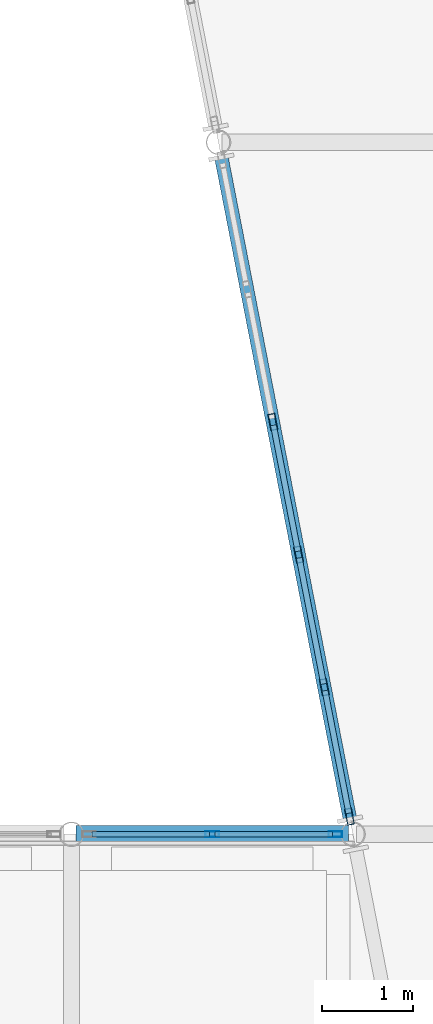
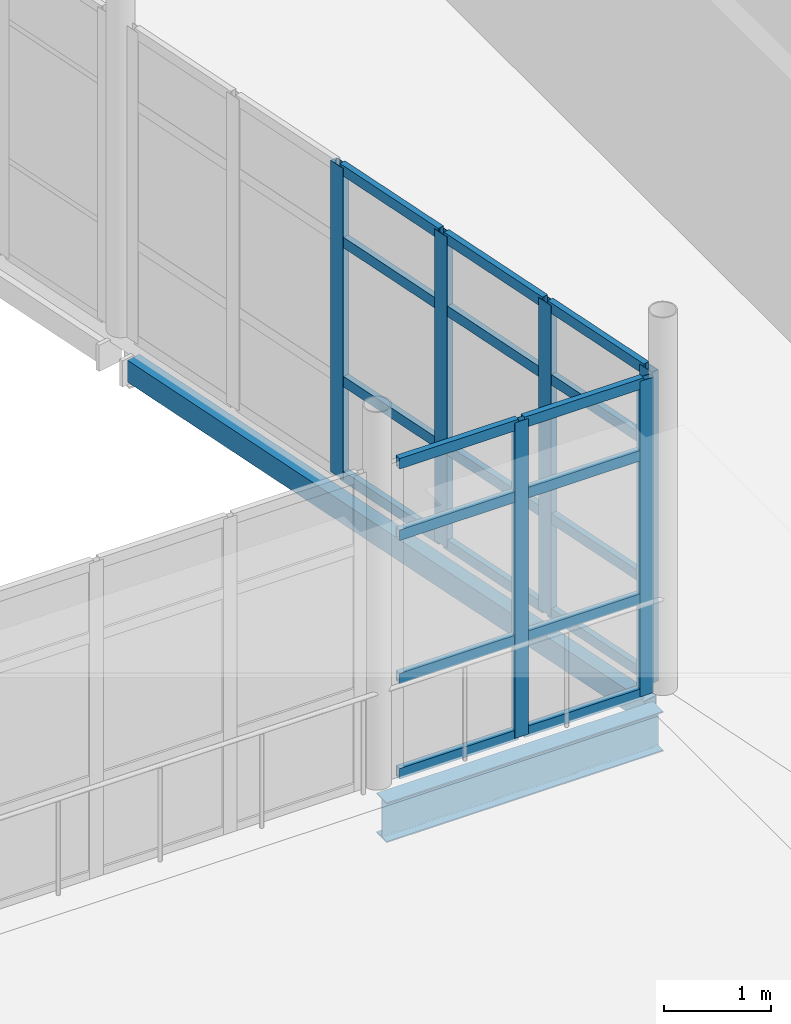
# One storey, part 96 of 174: 26 members, 2 beams, 2 elements without a shape of their own.
"""IFC4 building model written with IfcOpenShell, lengths in metres."""

from ifc_helpers import new_model, si_unit, direction, frame, origin, origin_2d, place, context, subcontext, project, spatial, hollow_rectangle, i_section, extrude, material, material_profile, profile_set, type_object, element, aggregate, save


model = new_model("IFC4")

# Units and contexts
model_context = context("Model", 3, precision=1e-05, world=origin(), true_north=direction((0.0, 1.0)))
body_context = subcontext(model_context, "Body", "Model", "MODEL_VIEW")
ifc_project = project(units=[si_unit("LENGTHUNIT", "METRE"), si_unit("AREAUNIT", "SQUARE_METRE"), si_unit("VOLUMEUNIT", "CUBIC_METRE"), si_unit("PLANEANGLEUNIT", "RADIAN"), si_unit("MASSUNIT", "GRAM", prefix="KILO")], contexts=[model_context])

# Site, building, storey
site_placement = place(None, origin())
site = spatial("IfcSite", under=ifc_project, at=site_placement, CompositionType="ELEMENT")
building_placement = place(site_placement, origin())
building = spatial("IfcBuilding", under=site, at=building_placement, Name="Caisbarro Railhouse Central Library", CompositionType="ELEMENT")
storey_placement = place(building_placement, frame((0.0, 0.0, 5.0400390625)))
storey = spatial("IfcBuildingStorey", under=building, at=storey_placement, Name="L01", CompositionType="ELEMENT", Elevation=5.0400390625)

# Beams
ifc_material_1 = material(Name="Steel ASTM A572 Grade 50", Category="steel")
ifc_material_profile_1 = material_profile(ifc_material_1, i_section(OverallWidth=0.18994140625, OverallDepth=0.45703125, WebThickness=0.009033203125, FlangeThickness=0.014404296875, FilletRadius=0.01806640625, at=origin_2d()), Name="W460X74.0")
ifc_profile_set_1 = profile_set([ifc_material_profile_1], Name="Steel ASTM A572 Grade 50")
beam_type_1 = type_object("IfcBeamType", Name="BM-G08", PredefinedType="BEAM", material=ifc_profile_set_1)
beam_1_placement = place(storey_placement, frame((108.050048828125, 91.199951171875, -0.428466796875), z_axis=(1.0, 0.0, 0.0), x_axis=(0.0, 1.0, 0.0)))
element("IfcBeam", 1, at=beam_1_placement, inside=storey, type_object=beam_type_1, Name="G08 beam L01 #1277", PredefinedType="BEAM", context=body_context, shape_type="SweptSolid", body=[
    extrude(i_section(OverallWidth=0.18994140625, OverallDepth=0.45703125, WebThickness=0.009033203125, FlangeThickness=0.014404296875, FilletRadius=0.01806640625, at=origin_2d()), origin(), (0.0, 0.0, 1.0), 2.990966796875),
])
ifc_material_profile_2 = material_profile(ifc_material_1, hollow_rectangle(XDim=0.14990234375, YDim=0.25, WallThickness=0.010009765625, at=origin_2d()), Name="HSS250X150X10")
ifc_profile_set_2 = profile_set([ifc_material_profile_2], Name="Steel ASTM A572 Grade 50")
beam_type_2 = type_object("IfcBeamType", Name="BM-SP03", PredefinedType="SPANDREL", material=ifc_profile_set_2)
beam_2_placement = place(storey_placement, frame((111.056640625, 91.376708984375, -0.344970703125), z_axis=(-0.1907899916, 0.981630877217, 0.0), x_axis=(-0.981630877217, -0.1907899916, 0.0)))
element("IfcBeam", 2, at=beam_2_placement, inside=storey, type_object=beam_type_2, Name="SP03 beam L01 #1269", PredefinedType="SPANDREL", context=body_context, shape_type="SweptSolid", body=[
    extrude(hollow_rectangle(XDim=0.14990234375, YDim=0.25, WallThickness=0.010009765625, at=origin_2d()), origin(), (0.0, 0.0, 1.0), 7.382080078125),
])

# Curtain wall, members
ifc_material_2 = material(Name="Anodised architectural aluminium", Category="aluminium")
curtain_wall_type_1 = type_object("IfcCurtainWallType", Name="CW-CW02", PredefinedType="NOTDEFINED", material=ifc_material_2)
curtain_wall_1_placement = place(storey_placement, origin())
curtain_wall_1 = element("IfcCurtainWall", 3, at=curtain_wall_1_placement, inside=storey, type_object=curtain_wall_type_1, Name="CW02 curtain wall L01 #113", PredefinedType="NOTDEFINED")
ifc_material_profile_3 = material_profile(ifc_material_2, hollow_rectangle(XDim=0.074951171875, YDim=0.179931640625, WallThickness=0.00439453125, at=origin_2d()), Name="ALU-MUL-75X180")
ifc_profile_set_3 = profile_set([ifc_material_profile_3], Name="Anodised architectural aluminium")
member_type_1 = type_object("IfcMemberType", Name="CWM-M01", PredefinedType="MULLION", material=ifc_profile_set_3)
member_1_placement = place(storey_placement, frame((111.053466796875, 91.393798828125, 0.0), z_axis=(0.0, 0.0, 1.0), x_axis=(-0.981632635401, -0.190780945369, 0.0)))
member_1 = element("IfcMember", 4, at=member_1_placement, type_object=member_type_1, Name="CW02 mullion 1", PredefinedType="MULLION", context=body_context, shape_type="SweptSolid", body=[
    extrude(hollow_rectangle(XDim=0.074951171875, YDim=0.179931640625, WallThickness=0.00439453125, at=origin_2d()), origin(), (0.0, 0.0, 1.0), 3.56005859375),
])
member_2_placement = place(storey_placement, frame((110.77734375, 92.814208984375, 0.0), z_axis=(0.0, 0.0, 1.0), x_axis=(-0.981632635401, -0.190780945369, 0.0)))
member_2 = element("IfcMember", 5, at=member_2_placement, type_object=member_type_1, Name="CW02 mullion 2", PredefinedType="MULLION", context=body_context, shape_type="SweptSolid", body=[
    extrude(hollow_rectangle(XDim=0.074951171875, YDim=0.179931640625, WallThickness=0.00439453125, at=origin_2d()), origin(), (0.0, 0.0, 1.0), 3.56005859375),
])
member_3_placement = place(storey_placement, frame((110.494140625, 94.271484375, 0.0), z_axis=(0.0, 0.0, 1.0), x_axis=(-0.981632635401, -0.190780945369, 0.0)))
member_3 = element("IfcMember", 6, at=member_3_placement, type_object=member_type_1, Name="CW02 mullion 3", PredefinedType="MULLION", context=body_context, shape_type="SweptSolid", body=[
    extrude(hollow_rectangle(XDim=0.074951171875, YDim=0.179931640625, WallThickness=0.00439453125, at=origin_2d()), origin(), (0.0, 0.0, 1.0), 3.56005859375),
])
member_4_placement = place(storey_placement, frame((110.2109375, 95.728515625, 0.0), z_axis=(0.0, 0.0, 1.0), x_axis=(-0.981632635401, -0.190780945369, 0.0)))
member_4 = element("IfcMember", 7, at=member_4_placement, type_object=member_type_1, Name="CW02 mullion 4", PredefinedType="MULLION", context=body_context, shape_type="SweptSolid", body=[
    extrude(hollow_rectangle(XDim=0.074951171875, YDim=0.179931640625, WallThickness=0.00439453125, at=origin_2d()), origin(), (0.0, 0.0, 1.0), 3.56005859375),
])

curtain_wall_type_2 = type_object("IfcCurtainWallType", Name="CW-CW03", PredefinedType="NOTDEFINED", material=ifc_material_2)
curtain_wall_2_placement = place(storey_placement, origin())
curtain_wall_2 = element("IfcCurtainWall", 8, at=curtain_wall_2_placement, inside=storey, type_object=curtain_wall_type_2, Name="CW03 curtain wall L01 #201", PredefinedType="NOTDEFINED")
ifc_material_profile_4 = material_profile(ifc_material_2, hollow_rectangle(XDim=0.06494140625, YDim=0.14990234375, WallThickness=0.00390625, at=origin_2d()), Name="ALU-MUL-65X150")
ifc_profile_set_4 = profile_set([ifc_material_profile_4], Name="Anodised architectural aluminium")
member_type_2 = type_object("IfcMemberType", Name="CWM-M02", PredefinedType="MULLION", material=ifc_profile_set_4)
member_5_placement = place(storey_placement, frame((109.54541015625, 91.199951171875, 0.0), z_axis=(0.0, 0.0, 1.0), x_axis=(0.0, 1.0, 0.0)))
member_5 = element("IfcMember", 9, at=member_5_placement, type_object=member_type_2, Name="CW03 mullion 2", PredefinedType="MULLION", context=body_context, shape_type="SweptSolid", body=[
    extrude(hollow_rectangle(XDim=0.06494140625, YDim=0.14990234375, WallThickness=0.00390625, at=origin_2d()), origin(), (0.0, 0.0, 1.0), 3.60986328125),
])
member_6_placement = place(storey_placement, frame((110.8984375, 91.199951171875, 0.0), z_axis=(0.0, 0.0, 1.0), x_axis=(0.0, 1.0, 0.0)))
member_6 = element("IfcMember", 10, at=member_6_placement, type_object=member_type_2, Name="CW03 mullion 3", PredefinedType="MULLION", context=body_context, shape_type="SweptSolid", body=[
    extrude(hollow_rectangle(XDim=0.06494140625, YDim=0.14990234375, WallThickness=0.00390625, at=origin_2d()), origin(), (0.0, 0.0, 1.0), 3.60986328125),
])

# Member
ifc_material_profile_5 = material_profile(ifc_material_2, hollow_rectangle(XDim=0.06494140625, YDim=0.1201171875, WallThickness=0.00341796875, at=origin_2d()), Name="ALU-TRN-65X120")
ifc_profile_set_5 = profile_set([ifc_material_profile_5], Name="Anodised architectural aluminium")
member_type_3 = type_object("IfcMemberType", Name="CWT-T02", PredefinedType="USERDEFINED", material=ifc_profile_set_5)
member_7_placement = place(storey_placement, frame((111.046142578125, 91.4306640625, 0.032470703125), z_axis=(-0.190774392735, 0.981633908887, 0.0), x_axis=(-0.981633908887, -0.190774392735, 0.0)))
member_7 = element("IfcMember", 11, at=member_7_placement, type_object=member_type_3, Name="CW02 transom 1.1", ObjectType="TRANSOM", PredefinedType="USERDEFINED", context=body_context, shape_type="SweptSolid", body=[
    extrude(hollow_rectangle(XDim=0.06494140625, YDim=0.1201171875, WallThickness=0.00341796875, at=origin_2d()), origin(), (0.0, 0.0, 1.0), 1.371826171875),
])

member_8_placement = place(storey_placement, frame((111.046142578125, 91.4306640625, 1.119873046875), z_axis=(-0.190774392735, 0.981633908887, 0.0), x_axis=(-0.981633908887, -0.190774392735, 0.0)))
member_8 = element("IfcMember", 12, at=member_8_placement, type_object=member_type_3, Name="CW02 transom 1.2", ObjectType="TRANSOM", PredefinedType="USERDEFINED", context=body_context, shape_type="SweptSolid", body=[
    extrude(hollow_rectangle(XDim=0.06494140625, YDim=0.1201171875, WallThickness=0.00341796875, at=origin_2d()), origin(), (0.0, 0.0, 1.0), 1.371826171875),
])

member_9_placement = place(storey_placement, frame((111.046142578125, 91.4306640625, 2.7099609375), z_axis=(-0.190774392735, 0.981633908887, 0.0), x_axis=(-0.981633908887, -0.190774392735, 0.0)))
member_9 = element("IfcMember", 13, at=member_9_placement, type_object=member_type_3, Name="CW02 transom 1.3", ObjectType="TRANSOM", PredefinedType="USERDEFINED", context=body_context, shape_type="SweptSolid", body=[
    extrude(hollow_rectangle(XDim=0.06494140625, YDim=0.1201171875, WallThickness=0.00341796875, at=origin_2d()), origin(), (0.0, 0.0, 1.0), 1.371826171875),
])

member_10_placement = place(storey_placement, frame((111.046142578125, 91.4306640625, 3.52734375), z_axis=(-0.190774392735, 0.981633908887, 0.0), x_axis=(-0.981633908887, -0.190774392735, 0.0)))
member_10 = element("IfcMember", 14, at=member_10_placement, type_object=member_type_3, Name="CW02 transom 1.4", ObjectType="TRANSOM", PredefinedType="USERDEFINED", context=body_context, shape_type="SweptSolid", body=[
    extrude(hollow_rectangle(XDim=0.06494140625, YDim=0.1201171875, WallThickness=0.00341796875, at=origin_2d()), origin(), (0.0, 0.0, 1.0), 1.371826171875),
])

member_11_placement = place(storey_placement, frame((110.770263671875, 92.85107421875, 0.032470703125), z_axis=(-0.190883567843, 0.981612685089, 0.0), x_axis=(-0.981612685089, -0.190883567843, 0.0)))
member_11 = element("IfcMember", 15, at=member_11_placement, type_object=member_type_3, Name="CW02 transom 2.1", ObjectType="TRANSOM", PredefinedType="USERDEFINED", context=body_context, shape_type="SweptSolid", body=[
    extrude(hollow_rectangle(XDim=0.06494140625, YDim=0.1201171875, WallThickness=0.00341796875, at=origin_2d()), origin(), (0.0, 0.0, 1.0), 1.409423828125),
])

member_12_placement = place(storey_placement, frame((110.770263671875, 92.85107421875, 1.119873046875), z_axis=(-0.190883567843, 0.981612685089, 0.0), x_axis=(-0.981612685089, -0.190883567843, 0.0)))
member_12 = element("IfcMember", 16, at=member_12_placement, type_object=member_type_3, Name="CW02 transom 2.2", ObjectType="TRANSOM", PredefinedType="USERDEFINED", context=body_context, shape_type="SweptSolid", body=[
    extrude(hollow_rectangle(XDim=0.06494140625, YDim=0.1201171875, WallThickness=0.00341796875, at=origin_2d()), origin(), (0.0, 0.0, 1.0), 1.409423828125),
])

member_13_placement = place(storey_placement, frame((110.770263671875, 92.85107421875, 2.7099609375), z_axis=(-0.190883567843, 0.981612685089, 0.0), x_axis=(-0.981612685089, -0.190883567843, 0.0)))
member_13 = element("IfcMember", 17, at=member_13_placement, type_object=member_type_3, Name="CW02 transom 2.3", ObjectType="TRANSOM", PredefinedType="USERDEFINED", context=body_context, shape_type="SweptSolid", body=[
    extrude(hollow_rectangle(XDim=0.06494140625, YDim=0.1201171875, WallThickness=0.00341796875, at=origin_2d()), origin(), (0.0, 0.0, 1.0), 1.409423828125),
])

member_14_placement = place(storey_placement, frame((110.770263671875, 92.85107421875, 3.52734375), z_axis=(-0.190883567843, 0.981612685089, 0.0), x_axis=(-0.981612685089, -0.190883567843, 0.0)))
member_14 = element("IfcMember", 18, at=member_14_placement, type_object=member_type_3, Name="CW02 transom 2.4", ObjectType="TRANSOM", PredefinedType="USERDEFINED", context=body_context, shape_type="SweptSolid", body=[
    extrude(hollow_rectangle(XDim=0.06494140625, YDim=0.1201171875, WallThickness=0.00341796875, at=origin_2d()), origin(), (0.0, 0.0, 1.0), 1.409423828125),
])

member_15_placement = place(storey_placement, frame((110.487060546875, 94.308349609375, 0.032470703125), z_axis=(-0.190916029308, 0.981606372103, 0.0), x_axis=(-0.981606372103, -0.190916029308, 0.0)))
member_15 = element("IfcMember", 19, at=member_15_placement, type_object=member_type_3, Name="CW02 transom 3.1", ObjectType="TRANSOM", PredefinedType="USERDEFINED", context=body_context, shape_type="SweptSolid", body=[
    extrude(hollow_rectangle(XDim=0.06494140625, YDim=0.1201171875, WallThickness=0.00341796875, at=origin_2d()), origin(), (0.0, 0.0, 1.0), 1.4091796875),
])

member_16_placement = place(storey_placement, frame((110.487060546875, 94.308349609375, 1.119873046875), z_axis=(-0.190916029308, 0.981606372103, 0.0), x_axis=(-0.981606372103, -0.190916029308, 0.0)))
member_16 = element("IfcMember", 20, at=member_16_placement, type_object=member_type_3, Name="CW02 transom 3.2", ObjectType="TRANSOM", PredefinedType="USERDEFINED", context=body_context, shape_type="SweptSolid", body=[
    extrude(hollow_rectangle(XDim=0.06494140625, YDim=0.1201171875, WallThickness=0.00341796875, at=origin_2d()), origin(), (0.0, 0.0, 1.0), 1.4091796875),
])

member_17_placement = place(storey_placement, frame((110.487060546875, 94.308349609375, 2.7099609375), z_axis=(-0.190916029308, 0.981606372103, 0.0), x_axis=(-0.981606372103, -0.190916029308, 0.0)))
member_17 = element("IfcMember", 21, at=member_17_placement, type_object=member_type_3, Name="CW02 transom 3.3", ObjectType="TRANSOM", PredefinedType="USERDEFINED", context=body_context, shape_type="SweptSolid", body=[
    extrude(hollow_rectangle(XDim=0.06494140625, YDim=0.1201171875, WallThickness=0.00341796875, at=origin_2d()), origin(), (0.0, 0.0, 1.0), 1.4091796875),
])

member_18_placement = place(storey_placement, frame((110.487060546875, 94.308349609375, 3.52734375), z_axis=(-0.190916029308, 0.981606372103, 0.0), x_axis=(-0.981606372103, -0.190916029308, 0.0)))
member_18 = element("IfcMember", 22, at=member_18_placement, type_object=member_type_3, Name="CW02 transom 3.4", ObjectType="TRANSOM", PredefinedType="USERDEFINED", context=body_context, shape_type="SweptSolid", body=[
    extrude(hollow_rectangle(XDim=0.06494140625, YDim=0.1201171875, WallThickness=0.00341796875, at=origin_2d()), origin(), (0.0, 0.0, 1.0), 1.4091796875),
])

aggregate(curtain_wall_1, [member_1, member_2, member_3, member_4, member_7, member_8, member_9, member_10, member_11, member_12, member_13, member_14, member_15, member_16, member_17, member_18])

member_19_placement = place(storey_placement, frame((108.22509765625, 91.199951171875, 0.032470703125), z_axis=(1.0, 0.0, 0.0), x_axis=(0.0, 1.0, 0.0)))
member_19 = element("IfcMember", 23, at=member_19_placement, type_object=member_type_3, Name="CW03 transom 1.1", ObjectType="TRANSOM", PredefinedType="USERDEFINED", context=body_context, shape_type="SweptSolid", body=[
    extrude(hollow_rectangle(XDim=0.06494140625, YDim=0.1201171875, WallThickness=0.00341796875, at=origin_2d()), origin(), (0.0, 0.0, 1.0), 1.287841796875),
])

member_20_placement = place(storey_placement, frame((108.22509765625, 91.199951171875, 1.119873046875), z_axis=(1.0, 0.0, 0.0), x_axis=(0.0, 1.0, 0.0)))
member_20 = element("IfcMember", 24, at=member_20_placement, type_object=member_type_3, Name="CW03 transom 1.2", ObjectType="TRANSOM", PredefinedType="USERDEFINED", context=body_context, shape_type="SweptSolid", body=[
    extrude(hollow_rectangle(XDim=0.06494140625, YDim=0.1201171875, WallThickness=0.00341796875, at=origin_2d()), origin(), (0.0, 0.0, 1.0), 1.287841796875),
])

member_21_placement = place(storey_placement, frame((108.22509765625, 91.199951171875, 2.760009765625), z_axis=(1.0, 0.0, 0.0), x_axis=(0.0, 1.0, 0.0)))
member_21 = element("IfcMember", 25, at=member_21_placement, type_object=member_type_3, Name="CW03 transom 1.3", ObjectType="TRANSOM", PredefinedType="USERDEFINED", context=body_context, shape_type="SweptSolid", body=[
    extrude(hollow_rectangle(XDim=0.06494140625, YDim=0.1201171875, WallThickness=0.00341796875, at=origin_2d()), origin(), (0.0, 0.0, 1.0), 1.287841796875),
])

member_22_placement = place(storey_placement, frame((108.22509765625, 91.199951171875, 3.577392578125), z_axis=(1.0, 0.0, 0.0), x_axis=(0.0, 1.0, 0.0)))
member_22 = element("IfcMember", 26, at=member_22_placement, type_object=member_type_3, Name="CW03 transom 1.4", ObjectType="TRANSOM", PredefinedType="USERDEFINED", context=body_context, shape_type="SweptSolid", body=[
    extrude(hollow_rectangle(XDim=0.06494140625, YDim=0.1201171875, WallThickness=0.00341796875, at=origin_2d()), origin(), (0.0, 0.0, 1.0), 1.287841796875),
])

member_23_placement = place(storey_placement, frame((109.577880859375, 91.199951171875, 0.032470703125), z_axis=(1.0, 0.0, 0.0), x_axis=(0.0, 1.0, 0.0)))
member_23 = element("IfcMember", 27, at=member_23_placement, type_object=member_type_3, Name="CW03 transom 2.1", ObjectType="TRANSOM", PredefinedType="USERDEFINED", context=body_context, shape_type="SweptSolid", body=[
    extrude(hollow_rectangle(XDim=0.06494140625, YDim=0.1201171875, WallThickness=0.00341796875, at=origin_2d()), origin(), (0.0, 0.0, 1.0), 1.2880859375),
])

member_24_placement = place(storey_placement, frame((109.577880859375, 91.199951171875, 1.119873046875), z_axis=(1.0, 0.0, 0.0), x_axis=(0.0, 1.0, 0.0)))
member_24 = element("IfcMember", 28, at=member_24_placement, type_object=member_type_3, Name="CW03 transom 2.2", ObjectType="TRANSOM", PredefinedType="USERDEFINED", context=body_context, shape_type="SweptSolid", body=[
    extrude(hollow_rectangle(XDim=0.06494140625, YDim=0.1201171875, WallThickness=0.00341796875, at=origin_2d()), origin(), (0.0, 0.0, 1.0), 1.2880859375),
])

member_25_placement = place(storey_placement, frame((109.577880859375, 91.199951171875, 2.760009765625), z_axis=(1.0, 0.0, 0.0), x_axis=(0.0, 1.0, 0.0)))
member_25 = element("IfcMember", 29, at=member_25_placement, type_object=member_type_3, Name="CW03 transom 2.3", ObjectType="TRANSOM", PredefinedType="USERDEFINED", context=body_context, shape_type="SweptSolid", body=[
    extrude(hollow_rectangle(XDim=0.06494140625, YDim=0.1201171875, WallThickness=0.00341796875, at=origin_2d()), origin(), (0.0, 0.0, 1.0), 1.2880859375),
])

member_26_placement = place(storey_placement, frame((109.577880859375, 91.199951171875, 3.577392578125), z_axis=(1.0, 0.0, 0.0), x_axis=(0.0, 1.0, 0.0)))
member_26 = element("IfcMember", 30, at=member_26_placement, type_object=member_type_3, Name="CW03 transom 2.4", ObjectType="TRANSOM", PredefinedType="USERDEFINED", context=body_context, shape_type="SweptSolid", body=[
    extrude(hollow_rectangle(XDim=0.06494140625, YDim=0.1201171875, WallThickness=0.00341796875, at=origin_2d()), origin(), (0.0, 0.0, 1.0), 1.2880859375),
])

aggregate(curtain_wall_2, [member_5, member_6, member_19, member_20, member_21, member_22, member_23, member_24, member_25, member_26])

save(model, "model.ifc")
